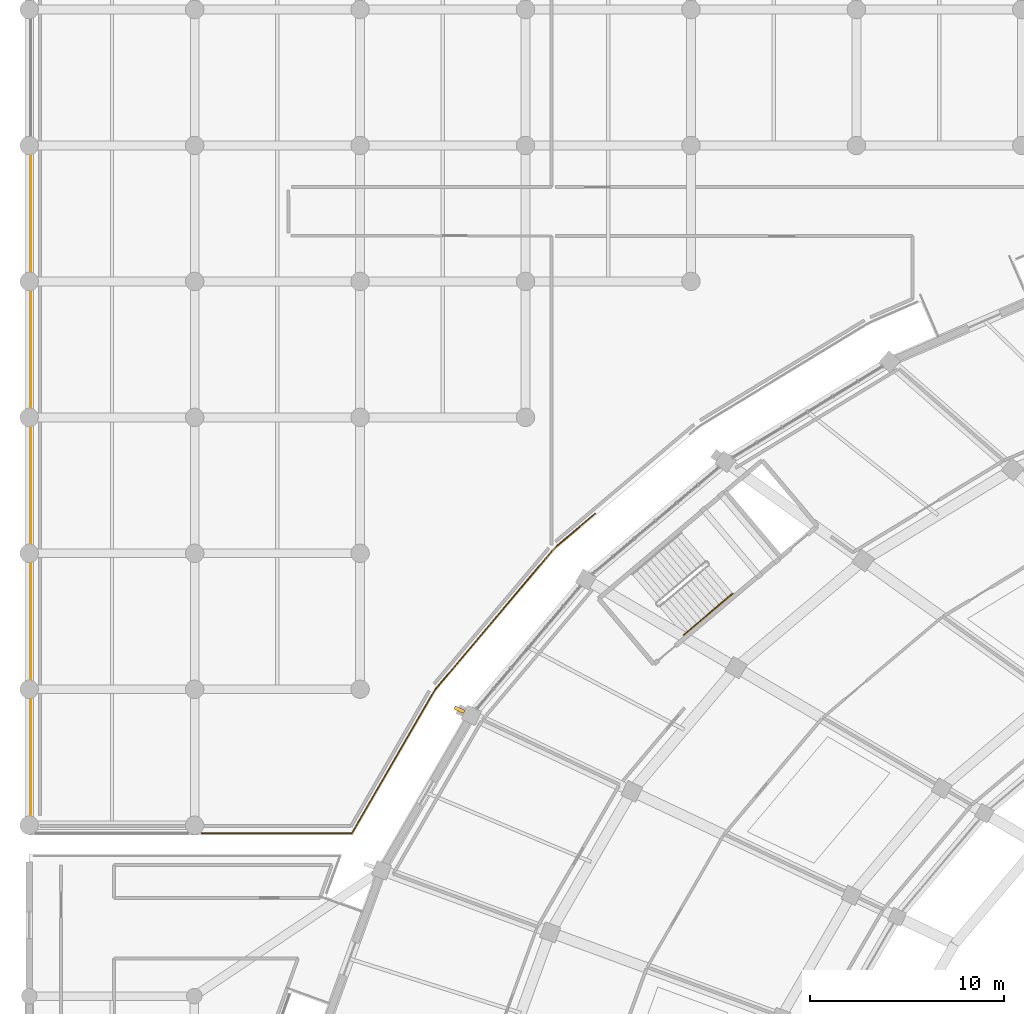
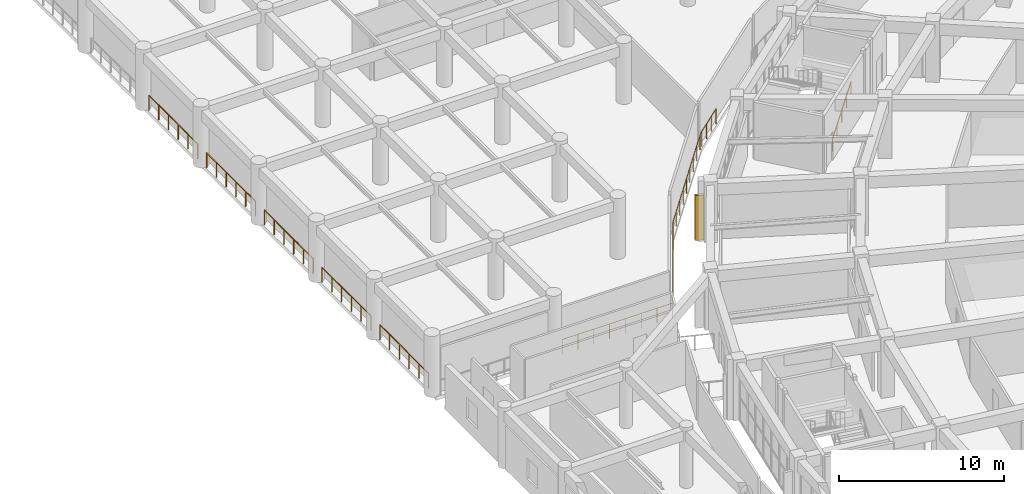
# One storey, part 136 of 145: 7 railings, 1 shading device.
"""IFC4 building model written with IfcOpenShell, lengths in metres."""

from ifc_helpers import new_model, si_unit, direction, frame, origin, origin_2d, place, context, subcontext, project, spatial, rectangle, circle, extrude, material, type_object, element, save


model = new_model("IFC4")

# Units and contexts
model_context = context("Model", 3, precision=1e-05, world=origin(), true_north=direction((0.0, 1.0)))
body_context = subcontext(model_context, "Body", "Model", "MODEL_VIEW")
ifc_project = project(units=[si_unit("LENGTHUNIT", "METRE"), si_unit("AREAUNIT", "SQUARE_METRE"), si_unit("VOLUMEUNIT", "CUBIC_METRE"), si_unit("PLANEANGLEUNIT", "RADIAN"), si_unit("MASSUNIT", "GRAM", prefix="KILO")], contexts=[model_context])

# Site, building, storey
site_placement = place(None, origin())
site = spatial("IfcSite", under=ifc_project, at=site_placement, CompositionType="ELEMENT")
building_placement = place(site_placement, origin())
building = spatial("IfcBuilding", under=site, at=building_placement, Name="Mphavela Belvedere Stadium", CompositionType="ELEMENT")
storey_placement = place(building_placement, frame((0.0, 0.0, 10.199951171875)))
storey = spatial("IfcBuildingStorey", under=building, at=storey_placement, Name="L02", CompositionType="ELEMENT", Elevation=10.199951171875)

# Railings
ifc_material_1 = material(Name="Bronze and laminated glass stadium balustrade", Category="glass")
railing_type_1 = type_object("IfcRailingType", Name="RAL-BALUSTRADE-1120", PredefinedType="BALUSTRADE", material=ifc_material_1)
railing_1_placement = place(storey_placement, frame((29.1396484375, 141.0400390625, 0.0)))
element("IfcRailing", 1, at=railing_1_placement, inside=storey, type_object=railing_type_1, Name="Peristyle wing gallery edge balustrade L02-35", PredefinedType="BALUSTRADE", context=body_context, shape_type="SweptSolid", body=[
    extrude(circle(Radius=0.02392578125, at=origin_2d()), frame((0.0, 0.0, 1.09619140625), z_axis=(-0.764250179802, -0.64491988857, 0.0), x_axis=(0.64491988857, -0.764250179802, 0.0)), (0.0, 0.0, 1.0), 2.54931640625),
    extrude(circle(Radius=0.02392578125, at=origin_2d()), frame((-1.9482421875, -1.64404296875, 1.09619140625), z_axis=(-0.707747566275, -0.706465414887, 0.0), x_axis=(0.706465414887, -0.707747566275, 0.0)), (0.0, 0.0, 1.0), 0.380859375),
    extrude(circle(Radius=0.02392578125, at=origin_2d()), frame((-2.2177734375, -1.9130859375, 1.09619140625), z_axis=(-0.644472492073, -0.764627495557, 0.0), x_axis=(0.764627495557, -0.644472492073, 0.0)), (0.0, 0.0, 1.0), 9.352783203125),
    extrude(circle(Radius=0.02392578125, at=origin_2d()), frame((-8.245361328125, -9.064453125, 1.09619140625), z_axis=(-0.501496666229, -0.86515957705, 0.0), x_axis=(0.86515957705, -0.501496666229, 0.0)), (0.0, 0.0, 1.0), 8.548095703125),
    extrude(circle(Radius=0.02392578125, at=origin_2d()), frame((-12.5322265625, -16.4599609375, 1.09619140625), z_axis=(-1.0, 0.0, 0.0), x_axis=(0.0, -1.0, 0.0)), (0.0, 0.0, 1.0), 7.73388671875),
    extrude(circle(Radius=0.02099609375, at=origin_2d()), origin(), (0.0, 0.0, 1.0), 1.072021484375),
    extrude(circle(Radius=0.02099609375, at=origin_2d()), frame((-0.6494140625, -0.548095703125, 0.0)), (0.0, 0.0, 1.0), 1.072021484375),
    extrude(circle(Radius=0.02099609375, at=origin_2d()), frame((-1.298828125, -1.095947265625, 0.0)), (0.0, 0.0, 1.0), 1.072021484375),
    extrude(circle(Radius=0.02099609375, at=origin_2d()), frame((-1.9482421875, -1.64404296875, 0.0)), (0.0, 0.0, 1.0), 1.072021484375),
    extrude(circle(Radius=0.02099609375, at=origin_2d()), frame((-2.2177734375, -1.9130859375, 0.0)), (0.0, 0.0, 1.0), 1.072021484375),
    extrude(circle(Radius=0.02099609375, at=origin_2d()), frame((-2.97119140625, -2.80712890625, 0.0)), (0.0, 0.0, 1.0), 1.072021484375),
    extrude(circle(Radius=0.02099609375, at=origin_2d()), frame((-3.724609375, -3.700927734375, 0.0)), (0.0, 0.0, 1.0), 1.072021484375),
    extrude(circle(Radius=0.02099609375, at=origin_2d()), frame((-4.47802734375, -4.5947265625, 0.0)), (0.0, 0.0, 1.0), 1.072021484375),
    extrude(circle(Radius=0.02099609375, at=origin_2d()), frame((-5.2314453125, -5.48876953125, 0.0)), (0.0, 0.0, 1.0), 1.072021484375),
    extrude(circle(Radius=0.02099609375, at=origin_2d()), frame((-5.985107421875, -6.3828125, 0.0)), (0.0, 0.0, 1.0), 1.072021484375),
    extrude(circle(Radius=0.02099609375, at=origin_2d()), frame((-6.738525390625, -7.276611328125, 0.0)), (0.0, 0.0, 1.0), 1.072021484375),
    extrude(circle(Radius=0.02099609375, at=origin_2d()), frame((-7.491943359375, -8.17041015625, 0.0)), (0.0, 0.0, 1.0), 1.072021484375),
    extrude(circle(Radius=0.02099609375, at=origin_2d()), frame((-8.245361328125, -9.064453125, 0.0)), (0.0, 0.0, 1.0), 1.072021484375),
    extrude(circle(Radius=0.02099609375, at=origin_2d()), frame((-8.78125, -9.98876953125, 0.0)), (0.0, 0.0, 1.0), 1.072021484375),
    extrude(circle(Radius=0.02099609375, at=origin_2d()), frame((-9.317138671875, -10.913330078125, 0.0)), (0.0, 0.0, 1.0), 1.072021484375),
    extrude(circle(Radius=0.02099609375, at=origin_2d()), frame((-9.85302734375, -11.837890625, 0.0)), (0.0, 0.0, 1.0), 1.072021484375),
    extrude(circle(Radius=0.02099609375, at=origin_2d()), frame((-10.388671875, -12.76220703125, 0.0)), (0.0, 0.0, 1.0), 1.072021484375),
    extrude(circle(Radius=0.02099609375, at=origin_2d()), frame((-10.924560546875, -13.6865234375, 0.0)), (0.0, 0.0, 1.0), 1.072021484375),
    extrude(circle(Radius=0.02099609375, at=origin_2d()), frame((-11.46044921875, -14.611083984375, 0.0)), (0.0, 0.0, 1.0), 1.072021484375),
    extrude(circle(Radius=0.02099609375, at=origin_2d()), frame((-11.996337890625, -15.53564453125, 0.0)), (0.0, 0.0, 1.0), 1.072021484375),
    extrude(circle(Radius=0.02099609375, at=origin_2d()), frame((-12.5322265625, -16.4599609375, 0.0)), (0.0, 0.0, 1.0), 1.072021484375),
    extrude(circle(Radius=0.02099609375, at=origin_2d()), frame((-13.636962890625, -16.4599609375, 0.0)), (0.0, 0.0, 1.0), 1.072021484375),
    extrude(circle(Radius=0.02099609375, at=origin_2d()), frame((-14.741943359375, -16.4599609375, 0.0)), (0.0, 0.0, 1.0), 1.072021484375),
    extrude(circle(Radius=0.02099609375, at=origin_2d()), frame((-15.8466796875, -16.4599609375, 0.0)), (0.0, 0.0, 1.0), 1.072021484375),
    extrude(circle(Radius=0.02099609375, at=origin_2d()), frame((-16.95166015625, -16.4599609375, 0.0)), (0.0, 0.0, 1.0), 1.072021484375),
    extrude(circle(Radius=0.02099609375, at=origin_2d()), frame((-18.056396484375, -16.4599609375, 0.0)), (0.0, 0.0, 1.0), 1.072021484375),
    extrude(circle(Radius=0.02099609375, at=origin_2d()), frame((-19.161376953125, -16.4599609375, 0.0)), (0.0, 0.0, 1.0), 1.072021484375),
    extrude(circle(Radius=0.02099609375, at=origin_2d()), frame((-20.26611328125, -16.4599609375, 0.0)), (0.0, 0.0, 1.0), 1.072021484375),
])
for number, where, name in (
    (2, (0.080078125, 125.54345703125, 0.0), "Peristyle wing gallery edge balustrade L02-37"),
    (3, (0.080078125, 132.54345703125, 0.0), "Peristyle wing gallery edge balustrade L02-38"),
    (4, (0.080078125, 139.54345703125, 0.0), "Peristyle wing gallery edge balustrade L02-39"),
    (5, (0.080078125, 146.54345703125, 0.0), "Peristyle wing gallery edge balustrade L02-40"),
    (6, (0.080078125, 153.54345703125, 0.0), "Peristyle wing gallery edge balustrade L02-41"),
):
    element("IfcRailing", number, at=place(storey_placement, frame(where)), inside=storey, type_object=railing_type_1, Name=name, PredefinedType="BALUSTRADE", context=body_context, shape_type="SweptSolid", body=[
        extrude(circle(Radius=0.02392578125, at=origin_2d()), frame((0.0, 0.0, 1.09619140625), z_axis=(0.0, 1.0, 0.0), x_axis=(-1.0, 0.0, 0.0)), (0.0, 0.0, 1.0), 5.9130859375),
        extrude(circle(Radius=0.02099609375, at=origin_2d()), origin(), (0.0, 0.0, 1.0), 1.072021484375),
        extrude(circle(Radius=0.02099609375, at=origin_2d()), frame((0.0, 1.1826171875, 0.0)), (0.0, 0.0, 1.0), 1.072021484375),
        extrude(circle(Radius=0.02099609375, at=origin_2d()), frame((0.0, 2.365234375, 0.0)), (0.0, 0.0, 1.0), 1.072021484375),
        extrude(circle(Radius=0.02099609375, at=origin_2d()), frame((0.0, 3.5478515625, 0.0)), (0.0, 0.0, 1.0), 1.072021484375),
        extrude(circle(Radius=0.02099609375, at=origin_2d()), frame((0.0, 4.73046875, 0.0)), (0.0, 0.0, 1.0), 1.072021484375),
        extrude(circle(Radius=0.02099609375, at=origin_2d()), frame((0.0, 5.9130859375, 0.0)), (0.0, 0.0, 1.0), 1.072021484375),
    ])
ifc_material_2 = material(Name="Brushed stainless steel tubular handrail", Category="steel")
railing_type_2 = type_object("IfcRailingType", Name="RAL-HANDRAIL-900", PredefinedType="HANDRAIL", material=ifc_material_2)
railing_2_placement = place(storey_placement, frame((33.687255859375, 134.79150390625, 0.1875)))
element("IfcRailing", 7, at=railing_2_placement, inside=storey, type_object=railing_type_2, Name="L02 ST-C05 stair handrail 1", PredefinedType="HANDRAIL", context=body_context, shape_type="SweptSolid", body=[
    extrude(circle(Radius=0.02392578125, at=origin_2d()), frame((0.0, 0.0, 0.8759765625), z_axis=(0.649270715457, 0.547937282321, 0.527458313702), x_axis=(-0.644950085505, 0.764224696805, 0.0)), (0.0, 0.0, 1.0), 3.91015625),
    extrude(circle(Radius=0.02099609375, at=origin_2d()), origin(), (0.0, 0.0, 1.0), 0.851806640625),
    extrude(circle(Radius=0.02099609375, at=origin_2d()), frame((0.634765625, 0.53564453125, 0.515625)), (0.0, 0.0, 1.0), 0.851806640625),
    extrude(circle(Radius=0.02099609375, at=origin_2d()), frame((1.26953125, 1.0712890625, 1.03125)), (0.0, 0.0, 1.0), 0.851806640625),
    extrude(circle(Radius=0.02099609375, at=origin_2d()), frame((1.904052734375, 1.60693359375, 1.546875)), (0.0, 0.0, 1.0), 0.851806640625),
    extrude(circle(Radius=0.02099609375, at=origin_2d()), frame((2.538818359375, 2.142578125, 2.0625)), (0.0, 0.0, 1.0), 0.851806640625),
])

# Shading device
ifc_material_3 = material(Name="Honed limestone and bronze vertical brise-soleil fin", Category="masonry")
shading_device_type = type_object("IfcShadingDeviceType", Name="SHD-SOLAR-FIN", PredefinedType="USERDEFINED", material=ifc_material_3)
shading_device_placement = place(storey_placement, frame((22.149169921875, 130.949462890625, 0.0), z_axis=(0.0, 0.0, 1.0), x_axis=(-0.903858661687, 0.4278311813, 0.0)))
element("IfcShadingDevice", 8, at=shading_device_placement, inside=storey, type_object=shading_device_type, Name="Classical vertical solar brise-soleil fin L02-21", ObjectType="SOLAR FIN", PredefinedType="USERDEFINED", context=body_context, shape_type="SweptSolid", body=[
    extrude(rectangle(XDim=0.550048828125, YDim=0.179931640625, at=origin_2d()), origin(), (0.0, 0.0, 1.0), 3.320068359375),
])

save(model, "model.ifc")
